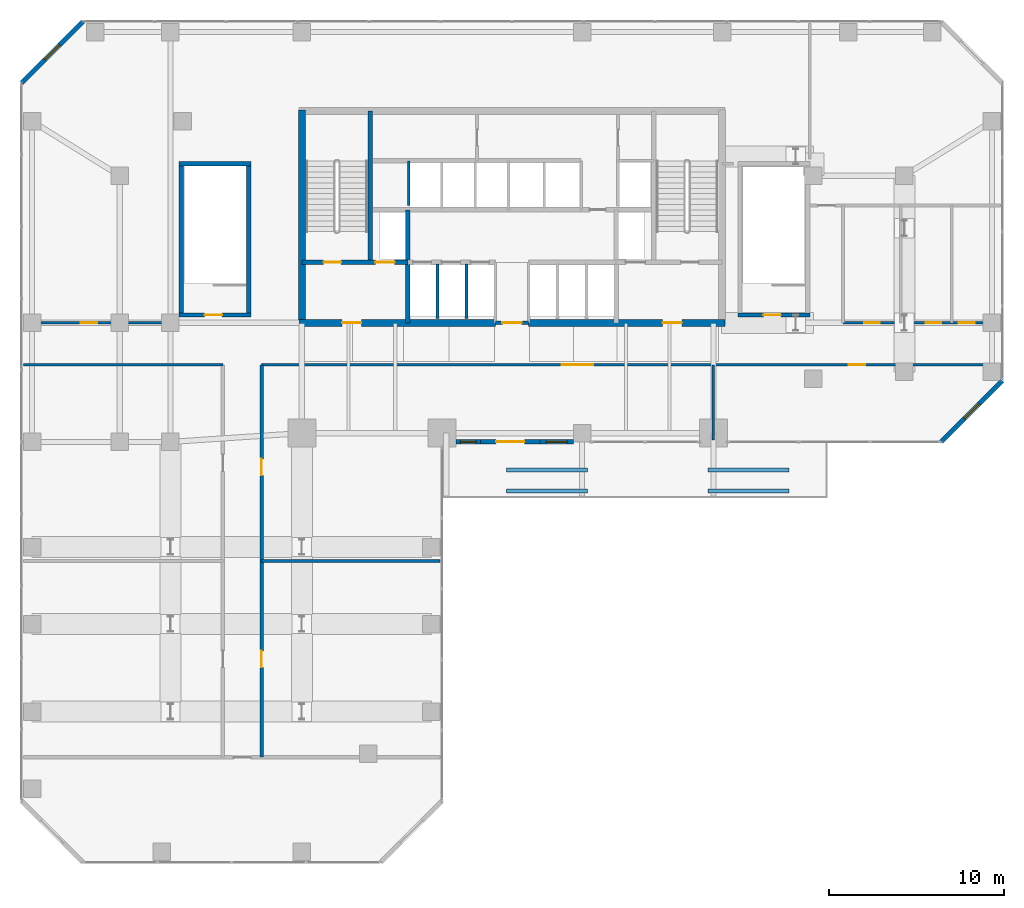
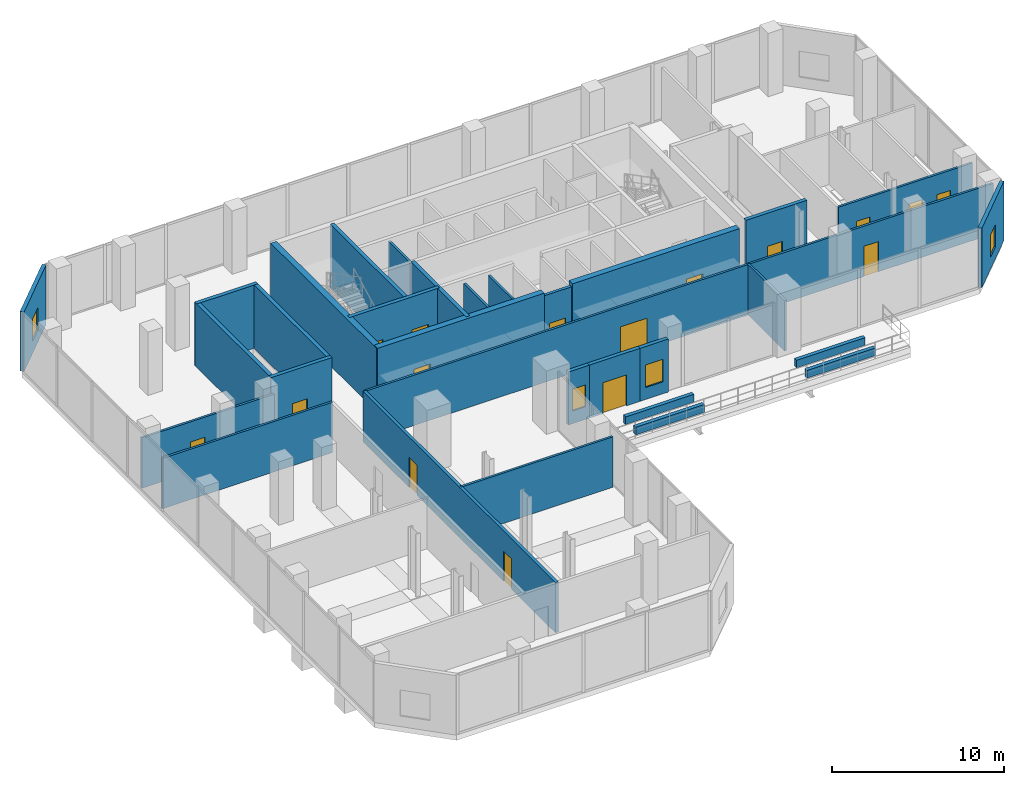
# One storey, part 22 of 24: 31 walls, 16 doors, 4 windows, 20 openings.
"""IFC4 building model written with IfcOpenShell, lengths in metres."""

from ifc_helpers import new_model, si_unit, direction, frame, frame_2d, origin, place, context, subcontext, project, spatial, rectangle, extrude, material, layer, layer_set, type_object, element, fill, save


model = new_model("IFC4")

# Units and contexts
model_context = context("Model", 3, precision=1e-05, world=origin(), true_north=direction((0.0, 1.0)))
body_context = subcontext(model_context, "Body", "Model", "MODEL_VIEW")
ifc_project = project(units=[si_unit("LENGTHUNIT", "METRE"), si_unit("AREAUNIT", "SQUARE_METRE"), si_unit("VOLUMEUNIT", "CUBIC_METRE"), si_unit("PLANEANGLEUNIT", "RADIAN"), si_unit("MASSUNIT", "GRAM", prefix="KILO")], contexts=[model_context])

# Site, building, storey
site_placement = place(None, origin())
site = spatial("IfcSite", under=ifc_project, at=site_placement, CompositionType="ELEMENT")
building_placement = place(site_placement, origin())
building = spatial("IfcBuilding", under=site, at=building_placement, Name="Catumbela Crestline Tower", CompositionType="ELEMENT")
storey_placement = place(building_placement, frame((0.0, 0.0, 21.3)))
storey = spatial("IfcBuildingStorey", under=building, at=storey_placement, Name="L04", CompositionType="ELEMENT", Elevation=21.3)

# Walls
ifc_material_1 = material(Name="Concrete C50/60", Category="concrete")
ifc_layer_1 = layer(ifc_material_1, 0.25, Name="Concrete C50/60")
ifc_layer_set_1 = layer_set([ifc_layer_1], Name="Concrete C50/60")
wall_type_1 = type_object("IfcWallType", Name="CW-250D", PredefinedType="SHEAR", material=ifc_layer_set_1)
wall_1_placement = place(storey_placement, frame((19.9, 34.25, 0.0), z_axis=(0.0, 0.0, 1.0), x_axis=(0.0, 1.0, 0.0)))
element("IfcWall", 1, at=wall_1_placement, inside=storey, type_object=wall_type_1, Name="L04 Structural Core Shear Wall WWEB", PredefinedType="SHEAR", context=body_context, shape_type="SweptSolid", body=[
    extrude(rectangle(XDim=8.65, YDim=0.25, at=frame_2d((4.325, 0.0))), origin(), (0.0, 0.0, 1.0), 4.5),
])
wall_2_placement = place(storey_placement, frame((22.05, 30.8, 0.0), z_axis=(0.0, 0.0, 1.0), x_axis=(0.0, 1.0, 0.0)))
element("IfcWall", 2, at=wall_2_placement, inside=storey, type_object=wall_type_1, Name="L04 Structural Core Shear Wall FFW", PredefinedType="SHEAR", context=body_context, shape_type="SweptSolid", body=[
    extrude(rectangle(XDim=6.45, YDim=0.25, at=frame_2d((3.225, 0.0))), origin(), (0.0, 0.0, 1.0), 4.5),
])

# Wall, openings, doors
wall_3_placement = place(storey_placement, frame((16.0, 34.25, 0.0), z_axis=(0.0, 0.0, 1.0), x_axis=(1.0, 0.0, 0.0)))
wall_3 = element("IfcWall", 3, at=wall_3_placement, inside=storey, type_object=wall_type_1, Name="L04 Structural Core Shear Wall ST1S", PredefinedType="SHEAR", context=body_context, shape_type="SweptSolid", body=[
    extrude(rectangle(XDim=6.05, YDim=0.25, at=frame_2d((3.025, 0.0))), origin(), (0.0, 0.0, 1.0), 4.5),
])
opening_1_placement = place(wall_3_placement, frame((1.25, 0.0, 0.0)))
opening_1 = element("IfcOpeningElement", 4, at=opening_1_placement, cuts=wall_3, Name="Opening DF9-100", PredefinedType="OPENING", context=body_context, shape_type="SweptSolid", body=[
    extrude(rectangle(XDim=1.0, YDim=2.15, at=frame_2d((0.5, 1.075))), frame((0.0, 0.135, 0.0), z_axis=(0.0, -1.0, 0.0), x_axis=(1.0, 0.0, 0.0)), (0.0, 0.0, 1.0), 0.27),
])
opening_2_placement = place(wall_3_placement, frame((4.2, 0.0, 0.0)))
opening_2 = element("IfcOpeningElement", 5, at=opening_2_placement, cuts=wall_3, Name="Opening LD-110", PredefinedType="OPENING", context=body_context, shape_type="SweptSolid", body=[
    extrude(rectangle(XDim=1.1, YDim=2.15, at=frame_2d((0.55, 1.075))), frame((0.0, 0.135, 0.0), z_axis=(0.0, -1.0, 0.0), x_axis=(1.0, 0.0, 0.0)), (0.0, 0.0, 1.0), 0.27),
])
ifc_material_2 = material(Name="Stainless steel EN 1.4401", Category="steel")
door_type_1 = type_object("IfcDoorType", Name="DF9-100", OperationType="NOTDEFINED", PredefinedType="DOOR", material=ifc_material_2)
door_1_placement = place(opening_1_placement, origin())
door_1 = element("IfcDoor", 6, at=door_1_placement, inside=storey, type_object=door_type_1, Name="L04 Interior Door DR-L04-ST01", OperationType="SINGLE_SWING_LEFT", OverallHeight=2.15, OverallWidth=1.0, PredefinedType="DOOR", context=body_context, shape_type="SweptSolid", body=[
    extrude(rectangle(XDim=1.0, YDim=2.15, at=frame_2d((0.5, 1.075))), frame((0.0, 0.025, 0.0), z_axis=(0.0, -1.0, 0.0), x_axis=(1.0, 0.0, 0.0)), (0.0, 0.0, 1.0), 0.05),
])
fill(opening_1, door_1)
door_type_2 = type_object("IfcDoorType", Name="LD-110", OperationType="NOTDEFINED", PredefinedType="DOOR", material=ifc_material_2)
door_2_placement = place(opening_2_placement, origin())
door_2 = element("IfcDoor", 7, at=door_2_placement, inside=storey, type_object=door_type_2, Name="L04 Lift Landing Sliding Door FL-01", OperationType="DOUBLE_DOOR_SLIDING", OverallHeight=2.15, OverallWidth=1.1, PredefinedType="DOOR", context=body_context, shape_type="SweptSolid", body=[
    extrude(rectangle(XDim=1.1, YDim=2.15, at=frame_2d((0.55, 1.075))), frame((0.0, 0.025, 0.0), z_axis=(0.0, -1.0, 0.0), x_axis=(1.0, 0.0, 0.0)), (0.0, 0.0, 1.0), 0.05),
])
fill(opening_2, door_2)

# Walls
for number, where, z_axis, x_axis, name in (
    (8, (9.12, 31.15, 0.0), (0.0, 0.0, 1.0), (0.0, 1.0, 0.0), "L04 Structural Core Shear Wall ST3W"),
    (9, (12.98, 31.15, 0.0), (0.0, 0.0, 1.0), (0.0, 1.0, 0.0), "L04 Structural Core Shear Wall ST3E"),
):
    element("IfcWall", number, at=place(storey_placement, frame(where, z_axis=z_axis, x_axis=x_axis)), inside=storey, type_object=wall_type_1, Name=name, PredefinedType="SHEAR", context=body_context, shape_type="SweptSolid", body=[
        extrude(rectangle(XDim=8.8, YDim=0.25, at=frame_2d((4.4, 0.0))), origin(), (0.0, 0.0, 1.0), 4.5),
    ])
wall_4_placement = place(storey_placement, frame((9.0, 39.88, 0.0), z_axis=(0.0, 0.0, 1.0), x_axis=(1.0, 0.0, 0.0)))
element("IfcWall", 10, at=wall_4_placement, inside=storey, type_object=wall_type_1, Name="L04 Structural Core Shear Wall ST3N", PredefinedType="SHEAR", context=body_context, shape_type="SweptSolid", body=[
    extrude(rectangle(XDim=4.1, YDim=0.25, at=frame_2d((2.05, 0.0))), origin(), (0.0, 0.0, 1.0), 4.5),
])

# Wall, opening, door
wall_5_placement = place(storey_placement, frame((9.0, 31.25, 0.0), z_axis=(0.0, 0.0, 1.0), x_axis=(1.0, 0.0, 0.0)))
wall_5 = element("IfcWall", 11, at=wall_5_placement, inside=storey, type_object=wall_type_1, Name="L04 Structural Core Shear Wall ST3S", PredefinedType="SHEAR", context=body_context, shape_type="SweptSolid", body=[
    extrude(rectangle(XDim=4.1, YDim=0.25, at=frame_2d((2.05, 0.0))), origin(), (0.0, 0.0, 1.0), 4.5),
])
opening_3_placement = place(wall_5_placement, frame((1.45, 0.0, 0.0)))
opening_3 = element("IfcOpeningElement", 12, at=opening_3_placement, cuts=wall_5, Name="Opening DF9-100", PredefinedType="OPENING", context=body_context, shape_type="SweptSolid", body=[
    extrude(rectangle(XDim=1.0, YDim=2.15, at=frame_2d((0.5, 1.075))), frame((0.0, 0.135, 0.0), z_axis=(0.0, -1.0, 0.0), x_axis=(1.0, 0.0, 0.0)), (0.0, 0.0, 1.0), 0.27),
])
door_3_placement = place(opening_3_placement, origin())
door_3 = element("IfcDoor", 13, at=door_3_placement, inside=storey, type_object=door_type_1, Name="L04 Interior Door DR-L04-ST03", OperationType="SINGLE_SWING_LEFT", OverallHeight=2.15, OverallWidth=1.0, PredefinedType="DOOR", context=body_context, shape_type="SweptSolid", body=[
    extrude(rectangle(XDim=1.0, YDim=2.15, at=frame_2d((0.5, 1.075))), frame((0.0, 0.025, 0.0), z_axis=(0.0, -1.0, 0.0), x_axis=(1.0, 0.0, 0.0)), (0.0, 0.0, 1.0), 0.05),
])
fill(opening_3, door_3)

wall_6_placement = place(storey_placement, frame((40.9, 31.25, 0.0), z_axis=(0.0, 0.0, 1.0), x_axis=(1.0, 0.0, 0.0)))
wall_6 = element("IfcWall", 14, at=wall_6_placement, inside=storey, type_object=wall_type_1, Name="L04 Structural Core Shear Wall ST4S", PredefinedType="SHEAR", context=body_context, shape_type="SweptSolid", body=[
    extrude(rectangle(XDim=4.1, YDim=0.25, at=frame_2d((2.05, 0.0))), origin(), (0.0, 0.0, 1.0), 4.5),
])
opening_4_placement = place(wall_6_placement, frame((1.45, 0.0, 0.0)))
opening_4 = element("IfcOpeningElement", 15, at=opening_4_placement, cuts=wall_6, Name="Opening DF9-100", PredefinedType="OPENING", context=body_context, shape_type="SweptSolid", body=[
    extrude(rectangle(XDim=1.0, YDim=2.15, at=frame_2d((0.5, 1.075))), frame((0.0, 0.135, 0.0), z_axis=(0.0, -1.0, 0.0), x_axis=(1.0, 0.0, 0.0)), (0.0, 0.0, 1.0), 0.27),
])
door_4_placement = place(opening_4_placement, origin())
door_4 = element("IfcDoor", 16, at=door_4_placement, inside=storey, type_object=door_type_1, Name="L04 Interior Door DR-L04-ST04", OperationType="SINGLE_SWING_RIGHT", OverallHeight=2.15, OverallWidth=1.0, PredefinedType="DOOR", context=body_context, shape_type="SweptSolid", body=[
    extrude(rectangle(XDim=1.0, YDim=2.15, at=frame_2d((0.5, 1.075))), frame((0.0, 0.025, 0.0), z_axis=(0.0, -1.0, 0.0), x_axis=(1.0, 0.0, 0.0)), (0.0, 0.0, 1.0), 0.05),
])
fill(opening_4, door_4)

# Wall
ifc_material_3 = material(Name="Concrete C60/75", Category="concrete")
ifc_layer_2 = layer(ifc_material_3, 0.4, Name="Concrete C60/75")
ifc_layer_set_2 = layer_set([ifc_layer_2], Name="Concrete C60/75")
wall_type_2 = type_object("IfcWallType", Name="CW-400A", PredefinedType="SHEAR", material=ifc_layer_set_2)
wall_7_placement = place(storey_placement, frame((16.0, 30.65, 0.0), z_axis=(0.0, 0.0, 1.0), x_axis=(0.0, 1.0, 0.0)))
element("IfcWall", 17, at=wall_7_placement, inside=storey, type_object=wall_type_2, Name="L04 Structural Core Shear Wall W", PredefinedType="SHEAR", context=body_context, shape_type="SweptSolid", body=[
    extrude(rectangle(XDim=12.3, YDim=0.4, at=frame_2d((6.15, 0.0))), origin(), (0.0, 0.0, 1.0), 4.5),
])

# Wall, opening, door
wall_8_placement = place(storey_placement, frame((15.85, 30.8, 0.0), z_axis=(0.0, 0.0, 1.0), x_axis=(1.0, 0.0, 0.0)))
wall_8 = element("IfcWall", 18, at=wall_8_placement, inside=storey, type_object=wall_type_2, Name="L04 Structural Core Shear Wall SW", PredefinedType="SHEAR", context=body_context, shape_type="SweptSolid", body=[
    extrude(rectangle(XDim=11.2, YDim=0.4, at=frame_2d((5.6, 0.0))), origin(), (0.0, 0.0, 1.0), 4.5),
])
opening_5_placement = place(wall_8_placement, frame((2.45, 0.0, 0.0)))
opening_5 = element("IfcOpeningElement", 19, at=opening_5_placement, cuts=wall_8, Name="Opening DF9-110", PredefinedType="OPENING", context=body_context, shape_type="SweptSolid", body=[
    extrude(rectangle(XDim=1.1, YDim=2.15, at=frame_2d((0.55, 1.075))), frame((0.0, 0.21, 0.0), z_axis=(0.0, -1.0, 0.0), x_axis=(1.0, 0.0, 0.0)), (0.0, 0.0, 1.0), 0.42),
])
door_type_3 = type_object("IfcDoorType", Name="DF9-110", OperationType="NOTDEFINED", PredefinedType="DOOR", material=ifc_material_2)
door_5_placement = place(opening_5_placement, origin())
door_5 = element("IfcDoor", 20, at=door_5_placement, inside=storey, type_object=door_type_3, Name="L04 Interior Door DR-L04-FFW-S", OperationType="SINGLE_SWING_LEFT", OverallHeight=2.15, OverallWidth=1.1, PredefinedType="DOOR", context=body_context, shape_type="SweptSolid", body=[
    extrude(rectangle(XDim=1.1, YDim=2.15, at=frame_2d((0.55, 1.075))), frame((0.0, 0.025, 0.0), z_axis=(0.0, -1.0, 0.0), x_axis=(1.0, 0.0, 0.0)), (0.0, 0.0, 1.0), 0.05),
])
fill(opening_5, door_5)

wall_9_placement = place(storey_placement, frame((28.95, 30.8, 0.0), z_axis=(0.0, 0.0, 1.0), x_axis=(1.0, 0.0, 0.0)))
wall_9 = element("IfcWall", 21, at=wall_9_placement, inside=storey, type_object=wall_type_2, Name="L04 Structural Core Shear Wall SE", PredefinedType="SHEAR", context=body_context, shape_type="SweptSolid", body=[
    extrude(rectangle(XDim=11.2, YDim=0.4, at=frame_2d((5.6, 0.0))), origin(), (0.0, 0.0, 1.0), 4.5),
])
opening_6_placement = place(wall_9_placement, frame((7.65, 0.0, 0.0)))
opening_6 = element("IfcOpeningElement", 22, at=opening_6_placement, cuts=wall_9, Name="Opening DF9-110", PredefinedType="OPENING", context=body_context, shape_type="SweptSolid", body=[
    extrude(rectangle(XDim=1.1, YDim=2.15, at=frame_2d((0.55, 1.075))), frame((0.0, 0.21, 0.0), z_axis=(0.0, -1.0, 0.0), x_axis=(1.0, 0.0, 0.0)), (0.0, 0.0, 1.0), 0.42),
])
door_6_placement = place(opening_6_placement, origin())
door_6 = element("IfcDoor", 23, at=door_6_placement, inside=storey, type_object=door_type_3, Name="L04 Interior Door DR-L04-FFE-S", OperationType="SINGLE_SWING_RIGHT", OverallHeight=2.15, OverallWidth=1.1, PredefinedType="DOOR", context=body_context, shape_type="SweptSolid", body=[
    extrude(rectangle(XDim=1.1, YDim=2.15, at=frame_2d((0.55, 1.075))), frame((0.0, 0.025, 0.0), z_axis=(0.0, -1.0, 0.0), x_axis=(1.0, 0.0, 0.0)), (0.0, 0.0, 1.0), 0.05),
])
fill(opening_6, door_6)

ifc_material_4 = material(Name="Acoustic gypsum and mineral-wool partition")
ifc_layer_3 = layer(ifc_material_4, 0.2, Name="Acoustic gypsum and mineral-wool partition")
ifc_layer_set_3 = layer_set([ifc_layer_3], Name="Acoustic gypsum and mineral-wool partition")
wall_type_3 = type_object("IfcWallType", Name="WC-200", PredefinedType="PARTITIONING", material=ifc_layer_set_3)
wall_10_placement = place(storey_placement, frame((27.05, 30.8, 0.0), z_axis=(0.0, 0.0, 1.0), x_axis=(1.0, 0.0, 0.0)))
wall_10 = element("IfcWall", 24, at=wall_10_placement, inside=storey, type_object=wall_type_3, Name="L04 Interior Partition PW-L04-CLOBS", PredefinedType="PARTITIONING", context=body_context, shape_type="SweptSolid", body=[
    extrude(rectangle(XDim=1.9, YDim=0.2, at=frame_2d((0.95, 0.0))), origin(), (0.0, 0.0, 1.0), 4.23),
])
opening_7_placement = place(wall_10_placement, frame((0.4, 0.0, 0.0)))
opening_7 = element("IfcOpeningElement", 25, at=opening_7_placement, cuts=wall_10, Name="Opening DF9-110", PredefinedType="OPENING", context=body_context, shape_type="SweptSolid", body=[
    extrude(rectangle(XDim=1.1, YDim=2.15, at=frame_2d((0.55, 1.075))), frame((0.0, 0.11, 0.0), z_axis=(0.0, -1.0, 0.0), x_axis=(1.0, 0.0, 0.0)), (0.0, 0.0, 1.0), 0.22),
])
door_7_placement = place(opening_7_placement, origin())
door_7 = element("IfcDoor", 26, at=door_7_placement, inside=storey, type_object=door_type_3, Name="L04 Interior Door DR-L04-CLOBS", OperationType="SINGLE_SWING_LEFT", OverallHeight=2.15, OverallWidth=1.1, PredefinedType="DOOR", context=body_context, shape_type="SweptSolid", body=[
    extrude(rectangle(XDim=1.1, YDim=2.15, at=frame_2d((0.55, 1.075))), frame((0.0, 0.025, 0.0), z_axis=(0.0, -1.0, 0.0), x_axis=(1.0, 0.0, 0.0)), (0.0, 0.0, 1.0), 0.05),
])
fill(opening_7, door_7)

# Wall, openings, doors
wall_11_placement = place(storey_placement, frame((13.7, 6.0, 0.0), z_axis=(0.0, 0.0, 1.0), x_axis=(0.0, 1.0, 0.0)))
wall_11 = element("IfcWall", 27, at=wall_11_placement, inside=storey, type_object=wall_type_3, Name="L04 Interior Partition PW-L04-TRT3-ENT", PredefinedType="PARTITIONING", context=body_context, shape_type="SweptSolid", body=[
    extrude(rectangle(XDim=22.4, YDim=0.2, at=frame_2d((11.2, 0.0))), origin(), (0.0, 0.0, 1.0), 3.58),
])
opening_8_placement = place(wall_11_placement, frame((16.084, 0.0, 0.0)))
opening_8 = element("IfcOpeningElement", 28, at=opening_8_placement, cuts=wall_11, Name="Opening DF6-095", PredefinedType="OPENING", context=body_context, shape_type="SweptSolid", body=[
    extrude(rectangle(XDim=0.95, YDim=2.15, at=frame_2d((0.475, 1.075))), frame((0.0, 0.11, 0.0), z_axis=(0.0, -1.0, 0.0), x_axis=(1.0, 0.0, 0.0)), (0.0, 0.0, 1.0), 0.22),
])
opening_9_placement = place(wall_11_placement, frame((5.125, 0.0, 0.0)))
opening_9 = element("IfcOpeningElement", 29, at=opening_9_placement, cuts=wall_11, Name="Opening DF6-095", PredefinedType="OPENING", context=body_context, shape_type="SweptSolid", body=[
    extrude(rectangle(XDim=0.95, YDim=2.15, at=frame_2d((0.475, 1.075))), frame((0.0, 0.11, 0.0), z_axis=(0.0, -1.0, 0.0), x_axis=(1.0, 0.0, 0.0)), (0.0, 0.0, 1.0), 0.22),
])
ifc_material_5 = material(Name="Aluminium alloy AW-6060-T66", Category="aluminium")
door_type_4 = type_object("IfcDoorType", Name="DF6-095", OperationType="NOTDEFINED", PredefinedType="DOOR", material=ifc_material_5)
door_8_placement = place(opening_8_placement, origin())
door_8 = element("IfcDoor", 30, at=door_8_placement, inside=storey, type_object=door_type_4, Name="L04 Interior Door DR-L04-TRT3-ENT", OperationType="SINGLE_SWING_RIGHT", OverallHeight=2.15, OverallWidth=0.95, PredefinedType="DOOR", context=body_context, shape_type="SweptSolid", body=[
    extrude(rectangle(XDim=0.95, YDim=2.15, at=frame_2d((0.475, 1.075))), frame((0.0, 0.025, 0.0), z_axis=(0.0, -1.0, 0.0), x_axis=(1.0, 0.0, 0.0)), (0.0, 0.0, 1.0), 0.05),
])
fill(opening_8, door_8)
door_9_placement = place(opening_9_placement, origin())
door_9 = element("IfcDoor", 31, at=door_9_placement, inside=storey, type_object=door_type_4, Name="L04 Interior Door DR-L04-TRT4-ENT", OperationType="SINGLE_SWING_LEFT", OverallHeight=2.15, OverallWidth=0.95, PredefinedType="DOOR", context=body_context, shape_type="SweptSolid", body=[
    extrude(rectangle(XDim=0.95, YDim=2.15, at=frame_2d((0.475, 1.075))), frame((0.0, 0.025, 0.0), z_axis=(0.0, -1.0, 0.0), x_axis=(1.0, 0.0, 0.0)), (0.0, 0.0, 1.0), 0.05),
])
fill(opening_9, door_9)

# Wall, opening, door
ifc_material_6 = material(Name="Angolan grey-ochre granite", Category="masonry")
ifc_layer_4 = layer(ifc_material_6, 0.25, Name="Angolan grey-ochre granite")
ifc_layer_set_4 = layer_set([ifc_layer_4], Name="Angolan grey-ochre granite")
wall_type_4 = type_object("IfcWallType", Name="WE-250", PredefinedType="STANDARD", material=ifc_layer_set_4)
wall_12_placement = place(storey_placement, frame((26.2, 24.0, 0.0), z_axis=(0.0, 0.0, 1.0), x_axis=(1.0, 0.0, 0.0)))
wall_12 = element("IfcWall", 32, at=wall_12_placement, inside=storey, type_object=wall_type_4, Name="L04 Exterior Threshold Portal Wall DR-L04-TER-SE", PredefinedType="STANDARD", context=body_context, shape_type="SweptSolid", body=[
    extrude(rectangle(XDim=3.4, YDim=0.25, at=frame_2d((1.7, 0.0))), origin(), (0.0, 0.0, 1.0), 3.77),
])
opening_10_placement = place(wall_12_placement, frame((0.9, 0.0, 0.0)))
opening_10 = element("IfcOpeningElement", 33, at=opening_10_placement, cuts=wall_12, Name="Opening DT-01", PredefinedType="OPENING", context=body_context, shape_type="SweptSolid", body=[
    extrude(rectangle(XDim=1.6, YDim=2.2, at=frame_2d((0.8, 1.1))), frame((0.0, 0.135, 0.0), z_axis=(0.0, -1.0, 0.0), x_axis=(1.0, 0.0, 0.0)), (0.0, 0.0, 1.0), 0.27),
])
door_type_5 = type_object("IfcDoorType", Name="DT-1600", OperationType="NOTDEFINED", PredefinedType="DOOR", material=ifc_material_5)
door_10_placement = place(opening_10_placement, origin())
door_10 = element("IfcDoor", 34, at=door_10_placement, inside=storey, type_object=door_type_5, Name="L04 Spa Sky-Garden Terrace Door", OperationType="DOUBLE_DOOR_SINGLE_SWING", OverallHeight=2.2, OverallWidth=1.6, PredefinedType="DOOR", context=body_context, shape_type="SweptSolid", body=[
    extrude(rectangle(XDim=1.6, YDim=2.2, at=frame_2d((0.8, 1.1))), frame((0.0, 0.025, 0.0), z_axis=(0.0, -1.0, 0.0), x_axis=(1.0, 0.0, 0.0)), (0.0, 0.0, 1.0), 0.05),
])
fill(opening_10, door_10)

# Wall, opening, window
wall_13_placement = place(storey_placement, frame((24.8, 24.0, 0.0), z_axis=(0.0, 0.0, 1.0), x_axis=(1.0, 0.0, 0.0)))
wall_13 = element("IfcWall", 35, at=wall_13_placement, inside=storey, type_object=wall_type_4, Name="L04 Granite Punched Window Wall 3-1", PredefinedType="STANDARD", context=body_context, shape_type="SweptSolid", body=[
    extrude(rectangle(XDim=1.4, YDim=0.25, at=frame_2d((0.7, 0.0))), origin(), (0.0, 0.0, 1.0), 3.77),
])
opening_11_placement = place(wall_13_placement, frame((0.25, 0.0, 0.9)))
opening_11 = element("IfcOpeningElement", 36, at=opening_11_placement, cuts=wall_13, Name="Opening WN-03", PredefinedType="OPENING", context=body_context, shape_type="SweptSolid", body=[
    extrude(rectangle(XDim=0.9, YDim=1.55, at=frame_2d((0.45, 0.775))), frame((0.0, 0.135, 0.0), z_axis=(0.0, -1.0, 0.0), x_axis=(1.0, 0.0, 0.0)), (0.0, 0.0, 1.0), 0.27),
])
ifc_material_7 = material(Name="Low-E laminated solar-control double glazing", Category="glass")
window_type_1 = type_object("IfcWindowType", Name="WO-0900", PartitioningType="SINGLE_PANEL", PredefinedType="WINDOW", material=ifc_material_7)
window_1_placement = place(opening_11_placement, origin())
window_1 = element("IfcWindow", 37, at=window_1_placement, inside=storey, type_object=window_type_1, Name="L04 Facade Vision Window 42", OverallHeight=1.55, OverallWidth=0.9, PartitioningType="SINGLE_PANEL", PredefinedType="WINDOW", context=body_context, shape_type="SweptSolid", body=[
    extrude(rectangle(XDim=0.9, YDim=1.55, at=frame_2d((0.45, 0.775))), frame((0.0, 0.03, 0.0), z_axis=(0.0, -1.0, 0.0), x_axis=(1.0, 0.0, 0.0)), (0.0, 0.0, 1.0), 0.06),
])
fill(opening_11, window_1)

wall_14_placement = place(storey_placement, frame((29.6, 24.0, 0.0), z_axis=(0.0, 0.0, 1.0), x_axis=(1.0, 0.0, 0.0)))
wall_14 = element("IfcWall", 38, at=wall_14_placement, inside=storey, type_object=wall_type_4, Name="L04 Granite Punched Window Wall 3-2", PredefinedType="STANDARD", context=body_context, shape_type="SweptSolid", body=[
    extrude(rectangle(XDim=1.9, YDim=0.25, at=frame_2d((0.95, 0.0))), origin(), (0.0, 0.0, 1.0), 3.77),
])
opening_12_placement = place(wall_14_placement, frame((0.35, 0.0, 0.85)))
opening_12 = element("IfcOpeningElement", 39, at=opening_12_placement, cuts=wall_14, Name="Opening WN-02", PredefinedType="OPENING", context=body_context, shape_type="SweptSolid", body=[
    extrude(rectangle(XDim=1.2, YDim=1.6, at=frame_2d((0.6, 0.8))), frame((0.0, 0.135, 0.0), z_axis=(0.0, -1.0, 0.0), x_axis=(1.0, 0.0, 0.0)), (0.0, 0.0, 1.0), 0.27),
])
window_type_2 = type_object("IfcWindowType", Name="WO-1200", PartitioningType="SINGLE_PANEL", PredefinedType="WINDOW", material=ifc_material_7)
window_2_placement = place(opening_12_placement, origin())
window_2 = element("IfcWindow", 40, at=window_2_placement, inside=storey, type_object=window_type_2, Name="L04 Facade Vision Window 43", OverallHeight=1.6, OverallWidth=1.2, PartitioningType="SINGLE_PANEL", PredefinedType="WINDOW", context=body_context, shape_type="SweptSolid", body=[
    extrude(rectangle(XDim=1.2, YDim=1.6, at=frame_2d((0.6, 0.8))), frame((0.0, 0.03, 0.0), z_axis=(0.0, -1.0, 0.0), x_axis=(1.0, 0.0, 0.0)), (0.0, 0.0, 1.0), 0.06),
])
fill(opening_12, window_2)

wall_15_placement = place(storey_placement, frame((52.5, 24.0, 0.0), z_axis=(0.0, 0.0, 1.0), x_axis=(0.707106781187, 0.707106781187, 0.0)))
wall_15 = element("IfcWall", 41, at=wall_15_placement, inside=storey, type_object=wall_type_4, Name="L04 Granite Punched Window Wall 4-1", PredefinedType="STANDARD", context=body_context, shape_type="SweptSolid", body=[
    extrude(rectangle(XDim=4.9497, YDim=0.25, at=frame_2d((2.4748, 0.0))), origin(), (0.0, 0.0, 1.0), 4.23),
])
opening_13_placement = place(wall_15_placement, frame((1.8748, 0.0, 0.85)))
opening_13 = element("IfcOpeningElement", 42, at=opening_13_placement, cuts=wall_15, Name="Opening WN-02", PredefinedType="OPENING", context=body_context, shape_type="SweptSolid", body=[
    extrude(rectangle(XDim=1.2, YDim=1.6, at=frame_2d((0.6, 0.8))), frame((0.0, 0.135, 0.0), z_axis=(0.0, -1.0, 0.0), x_axis=(1.0, 0.0, 0.0)), (0.0, 0.0, 1.0), 0.27),
])
window_3_placement = place(opening_13_placement, origin())
window_3 = element("IfcWindow", 43, at=window_3_placement, inside=storey, type_object=window_type_2, Name="L04 Facade Vision Window 44", OverallHeight=1.6, OverallWidth=1.2, PartitioningType="SINGLE_PANEL", PredefinedType="WINDOW", context=body_context, shape_type="SweptSolid", body=[
    extrude(rectangle(XDim=1.2, YDim=1.6, at=frame_2d((0.6, 0.8))), frame((0.0, 0.03, 0.0), z_axis=(0.0, -1.0, 0.0), x_axis=(1.0, 0.0, 0.0)), (0.0, 0.0, 1.0), 0.06),
])
fill(opening_13, window_3)

wall_16_placement = place(storey_placement, frame((3.5, 48.0, 0.0), z_axis=(0.0, 0.0, 1.0), x_axis=(-0.707106781187, -0.707106781187, 0.0)))
wall_16 = element("IfcWall", 44, at=wall_16_placement, inside=storey, type_object=wall_type_4, Name="L04 Granite Punched Window Wall 8-1", PredefinedType="STANDARD", context=body_context, shape_type="SweptSolid", body=[
    extrude(rectangle(XDim=4.9497, YDim=0.25, at=frame_2d((2.4748, 0.0))), origin(), (0.0, 0.0, 1.0), 4.23),
])
opening_14_placement = place(wall_16_placement, frame((1.8748, 0.0, 0.85)))
opening_14 = element("IfcOpeningElement", 45, at=opening_14_placement, cuts=wall_16, Name="Opening WN-02", PredefinedType="OPENING", context=body_context, shape_type="SweptSolid", body=[
    extrude(rectangle(XDim=1.2, YDim=1.6, at=frame_2d((0.6, 0.8))), frame((0.0, 0.135, 0.0), z_axis=(0.0, -1.0, 0.0), x_axis=(1.0, 0.0, 0.0)), (0.0, 0.0, 1.0), 0.27),
])
window_4_placement = place(opening_14_placement, origin())
window_4 = element("IfcWindow", 46, at=window_4_placement, inside=storey, type_object=window_type_2, Name="L04 Facade Vision Window 46", OverallHeight=1.6, OverallWidth=1.2, PartitioningType="SINGLE_PANEL", PredefinedType="WINDOW", context=body_context, shape_type="SweptSolid", body=[
    extrude(rectangle(XDim=1.2, YDim=1.6, at=frame_2d((0.6, 0.8))), frame((0.0, 0.03, 0.0), z_axis=(0.0, -1.0, 0.0), x_axis=(1.0, 0.0, 0.0)), (0.0, 0.0, 1.0), 0.06),
])
fill(opening_14, window_4)

# Wall, openings, doors
ifc_layer_5 = layer(ifc_material_4, 0.15, Name="Acoustic gypsum and mineral-wool partition")
ifc_layer_set_5 = layer_set([ifc_layer_5], Name="Acoustic gypsum and mineral-wool partition")
wall_type_5 = type_object("IfcWallType", Name="WP-150", PredefinedType="PARTITIONING", material=ifc_layer_set_5)
wall_17_placement = place(storey_placement, frame((46.9, 30.8, 0.0), z_axis=(0.0, 0.0, 1.0), x_axis=(1.0, 0.0, 0.0)))
wall_17 = element("IfcWall", 47, at=wall_17_placement, inside=storey, type_object=wall_type_5, Name="L04 Interior Partition PW-L04-WC1", PredefinedType="PARTITIONING", context=body_context, shape_type="SweptSolid", body=[
    extrude(rectangle(XDim=9.0, YDim=0.15, at=frame_2d((4.5, 0.0))), origin(), (0.0, 0.0, 1.0), 3.58),
])
opening_15_placement = place(wall_17_placement, frame((1.2, 0.0, 0.0)))
opening_15 = element("IfcOpeningElement", 48, at=opening_15_placement, cuts=wall_17, Name="Opening DI-090", PredefinedType="OPENING", context=body_context, shape_type="SweptSolid", body=[
    extrude(rectangle(XDim=0.9, YDim=2.15, at=frame_2d((0.45, 1.075))), frame((0.0, 0.085, 0.0), z_axis=(0.0, -1.0, 0.0), x_axis=(1.0, 0.0, 0.0)), (0.0, 0.0, 1.0), 0.17),
])
opening_16_placement = place(wall_17_placement, frame((4.72, 0.0, 0.0)))
opening_16 = element("IfcOpeningElement", 49, at=opening_16_placement, cuts=wall_17, Name="Opening DI-090", PredefinedType="OPENING", context=body_context, shape_type="SweptSolid", body=[
    extrude(rectangle(XDim=0.9, YDim=2.15, at=frame_2d((0.45, 1.075))), frame((0.0, 0.085, 0.0), z_axis=(0.0, -1.0, 0.0), x_axis=(1.0, 0.0, 0.0)), (0.0, 0.0, 1.0), 0.17),
])
opening_17_placement = place(wall_17_placement, frame((6.61, 0.0, 0.0)))
opening_17 = element("IfcOpeningElement", 50, at=opening_17_placement, cuts=wall_17, Name="Opening DI-090", PredefinedType="OPENING", context=body_context, shape_type="SweptSolid", body=[
    extrude(rectangle(XDim=0.9, YDim=2.15, at=frame_2d((0.45, 1.075))), frame((0.0, 0.085, 0.0), z_axis=(0.0, -1.0, 0.0), x_axis=(1.0, 0.0, 0.0)), (0.0, 0.0, 1.0), 0.17),
])
door_type_6 = type_object("IfcDoorType", Name="DI-090", OperationType="NOTDEFINED", PredefinedType="DOOR", material=ifc_material_5)
door_11_placement = place(opening_15_placement, origin())
door_11 = element("IfcDoor", 51, at=door_11_placement, inside=storey, type_object=door_type_6, Name="L04 Interior Door DR-L04-WC1", OperationType="SINGLE_SWING_LEFT", OverallHeight=2.15, OverallWidth=0.9, PredefinedType="DOOR", context=body_context, shape_type="SweptSolid", body=[
    extrude(rectangle(XDim=0.9, YDim=2.15, at=frame_2d((0.45, 1.075))), frame((0.0, 0.025, 0.0), z_axis=(0.0, -1.0, 0.0), x_axis=(1.0, 0.0, 0.0)), (0.0, 0.0, 1.0), 0.05),
])
fill(opening_15, door_11)
door_12_placement = place(opening_16_placement, origin())
door_12 = element("IfcDoor", 52, at=door_12_placement, inside=storey, type_object=door_type_6, Name="L04 Interior Door DR-L04-AWC", OperationType="SINGLE_SWING_RIGHT", OverallHeight=2.15, OverallWidth=0.9, PredefinedType="DOOR", context=body_context, shape_type="SweptSolid", body=[
    extrude(rectangle(XDim=0.9, YDim=2.15, at=frame_2d((0.45, 1.075))), frame((0.0, 0.025, 0.0), z_axis=(0.0, -1.0, 0.0), x_axis=(1.0, 0.0, 0.0)), (0.0, 0.0, 1.0), 0.05),
])
fill(opening_16, door_12)
door_13_placement = place(opening_17_placement, origin())
door_13 = element("IfcDoor", 53, at=door_13_placement, inside=storey, type_object=door_type_6, Name="L04 Interior Door DR-L04-FAM", OperationType="SINGLE_SWING_LEFT", OverallHeight=2.15, OverallWidth=0.9, PredefinedType="DOOR", context=body_context, shape_type="SweptSolid", body=[
    extrude(rectangle(XDim=0.9, YDim=2.15, at=frame_2d((0.45, 1.075))), frame((0.0, 0.025, 0.0), z_axis=(0.0, -1.0, 0.0), x_axis=(1.0, 0.0, 0.0)), (0.0, 0.0, 1.0), 0.05),
])
fill(opening_17, door_13)

# Wall, opening, door
wall_18_placement = place(storey_placement, frame((0.1, 30.8, 0.0), z_axis=(0.0, 0.0, 1.0), x_axis=(1.0, 0.0, 0.0)))
wall_18 = element("IfcWall", 54, at=wall_18_placement, inside=storey, type_object=wall_type_5, Name="L04 Interior Partition PW-L04-NW1", PredefinedType="PARTITIONING", context=body_context, shape_type="SweptSolid", body=[
    extrude(rectangle(XDim=8.9, YDim=0.15, at=frame_2d((4.45, 0.0))), origin(), (0.0, 0.0, 1.0), 3.58),
])
opening_18_placement = place(wall_18_placement, frame((3.2684, 0.0, 0.0)))
opening_18 = element("IfcOpeningElement", 55, at=opening_18_placement, cuts=wall_18, Name="Opening DF6-095", PredefinedType="OPENING", context=body_context, shape_type="SweptSolid", body=[
    extrude(rectangle(XDim=0.95, YDim=2.15, at=frame_2d((0.475, 1.075))), frame((0.0, 0.085, 0.0), z_axis=(0.0, -1.0, 0.0), x_axis=(1.0, 0.0, 0.0)), (0.0, 0.0, 1.0), 0.17),
])
door_14_placement = place(opening_18_placement, origin())
door_14 = element("IfcDoor", 56, at=door_14_placement, inside=storey, type_object=door_type_4, Name="L04 Interior Door DR-L04-NW1", OperationType="SINGLE_SWING_LEFT", OverallHeight=2.15, OverallWidth=0.95, PredefinedType="DOOR", context=body_context, shape_type="SweptSolid", body=[
    extrude(rectangle(XDim=0.95, YDim=2.15, at=frame_2d((0.475, 1.075))), frame((0.0, 0.025, 0.0), z_axis=(0.0, -1.0, 0.0), x_axis=(1.0, 0.0, 0.0)), (0.0, 0.0, 1.0), 0.05),
])
fill(opening_18, door_14)

# Wall, openings, doors
wall_19_placement = place(storey_placement, frame((13.7, 28.4, 0.0), z_axis=(0.0, 0.0, 1.0), x_axis=(1.0, 0.0, 0.0)))
wall_19 = element("IfcWall", 57, at=wall_19_placement, inside=storey, type_object=wall_type_5, Name="L04 Interior Partition PW-L04-SPA", PredefinedType="PARTITIONING", context=body_context, shape_type="SweptSolid", body=[
    extrude(rectangle(XDim=42.2, YDim=0.15, at=frame_2d((21.1, 0.0))), origin(), (0.0, 0.0, 1.0), 3.58),
])
opening_19_placement = place(wall_19_placement, frame((17.15, 0.0, 0.0)))
opening_19 = element("IfcOpeningElement", 58, at=opening_19_placement, cuts=wall_19, Name="Opening DD-180", PredefinedType="OPENING", context=body_context, shape_type="SweptSolid", body=[
    extrude(rectangle(XDim=1.8, YDim=2.15, at=frame_2d((0.9, 1.075))), frame((0.0, 0.085, 0.0), z_axis=(0.0, -1.0, 0.0), x_axis=(1.0, 0.0, 0.0)), (0.0, 0.0, 1.0), 0.17),
])
opening_20_placement = place(wall_19_placement, frame((33.525, 0.0, 0.0)))
opening_20 = element("IfcOpeningElement", 59, at=opening_20_placement, cuts=wall_19, Name="Opening DF6-095", PredefinedType="OPENING", context=body_context, shape_type="SweptSolid", body=[
    extrude(rectangle(XDim=0.95, YDim=2.15, at=frame_2d((0.475, 1.075))), frame((0.0, 0.085, 0.0), z_axis=(0.0, -1.0, 0.0), x_axis=(1.0, 0.0, 0.0)), (0.0, 0.0, 1.0), 0.17),
])
door_type_7 = type_object("IfcDoorType", Name="DD-180", OperationType="NOTDEFINED", PredefinedType="DOOR", material=ifc_material_5)
door_15_placement = place(opening_19_placement, origin())
door_15 = element("IfcDoor", 60, at=door_15_placement, inside=storey, type_object=door_type_7, Name="L04 Interior Door DR-L04-SPA", OperationType="DOUBLE_DOOR_SINGLE_SWING", OverallHeight=2.15, OverallWidth=1.8, PredefinedType="DOOR", context=body_context, shape_type="SweptSolid", body=[
    extrude(rectangle(XDim=1.8, YDim=2.15, at=frame_2d((0.9, 1.075))), frame((0.0, 0.025, 0.0), z_axis=(0.0, -1.0, 0.0), x_axis=(1.0, 0.0, 0.0)), (0.0, 0.0, 1.0), 0.05),
])
fill(opening_19, door_15)
door_16_placement = place(opening_20_placement, origin())
door_16 = element("IfcDoor", 61, at=door_16_placement, inside=storey, type_object=door_type_4, Name="L04 Interior Door DR-L04-JBAR", OperationType="SINGLE_SWING_LEFT", OverallHeight=2.15, OverallWidth=0.95, PredefinedType="DOOR", context=body_context, shape_type="SweptSolid", body=[
    extrude(rectangle(XDim=0.95, YDim=2.15, at=frame_2d((0.475, 1.075))), frame((0.0, 0.025, 0.0), z_axis=(0.0, -1.0, 0.0), x_axis=(1.0, 0.0, 0.0)), (0.0, 0.0, 1.0), 0.05),
])
fill(opening_20, door_16)

# Walls
wall_20_placement = place(storey_placement, frame((39.5, 24.1, 0.0), z_axis=(0.0, 0.0, 1.0), x_axis=(0.0, 1.0, 0.0)))
element("IfcWall", 62, at=wall_20_placement, inside=storey, type_object=wall_type_5, Name="L04 Interior Partition PW-L04-SPAE", PredefinedType="PARTITIONING", context=body_context, shape_type="SweptSolid", body=[
    extrude(rectangle(XDim=4.3, YDim=0.15, at=frame_2d((2.15, 0.0))), origin(), (0.0, 0.0, 1.0), 3.58),
])
wall_21_placement = place(storey_placement, frame((0.1, 28.4, 0.0), z_axis=(0.0, 0.0, 1.0), x_axis=(1.0, 0.0, 0.0)))
element("IfcWall", 63, at=wall_21_placement, inside=storey, type_object=wall_type_5, Name="L04 Interior Partition PW-L04-WGN1", PredefinedType="PARTITIONING", context=body_context, shape_type="SweptSolid", body=[
    extrude(rectangle(XDim=11.4, YDim=0.15, at=frame_2d((5.7, 0.0))), origin(), (0.0, 0.0, 1.0), 3.58),
])
wall_22_placement = place(storey_placement, frame((13.7, 17.2, 0.0), z_axis=(0.0, 0.0, 1.0), x_axis=(1.0, 0.0, 0.0)))
element("IfcWall", 64, at=wall_22_placement, inside=storey, type_object=wall_type_5, Name="L04 Interior Partition PW-L04-TRM2", PredefinedType="PARTITIONING", context=body_context, shape_type="SweptSolid", body=[
    extrude(rectangle(XDim=10.2, YDim=0.15, at=frame_2d((5.1, 0.0))), origin(), (0.0, 0.0, 1.0), 3.58),
])
ifc_material_8 = material(Name="Concrete C40/50", Category="concrete")
ifc_layer_6 = layer(ifc_material_8, 0.25, Name="Concrete C40/50")
ifc_layer_set_6 = layer_set([ifc_layer_6], Name="Concrete C40/50")
wall_type_6 = type_object("IfcWallType", Name="WPL-250", PredefinedType="USERDEFINED", material=ifc_layer_set_6)
for number, where, z_axis, x_axis, name in (
    (65, (27.7, 21.2, -0.02), (0.0, 0.0, 1.0), (1.0, 0.0, 0.0), "L04 Planted Sky-Garden GRC Planter Kerb 1"),
    (66, (27.7, 22.4, -0.02), (0.0, 0.0, 1.0), (1.0, 0.0, 0.0), "L04 Planted Sky-Garden GRC Planter Kerb 2"),
    (67, (39.2, 21.2, -0.02), (0.0, 0.0, 1.0), (1.0, 0.0, 0.0), "L04 Planted Sky-Garden GRC Planter Kerb 3"),
    (68, (39.2, 22.4, -0.02), (0.0, 0.0, 1.0), (1.0, 0.0, 0.0), "L04 Planted Sky-Garden GRC Planter Kerb 4"),
):
    element("IfcWall", number, at=place(storey_placement, frame(where, z_axis=z_axis, x_axis=x_axis)), inside=storey, type_object=wall_type_6, Name=name, ObjectType="PLANTER", PredefinedType="USERDEFINED", context=body_context, shape_type="SweptSolid", body=[
        extrude(rectangle(XDim=4.6, YDim=0.25, at=frame_2d((2.3, 0.0))), origin(), (0.0, 0.0, 1.0), 0.55),
    ])
ifc_layer_7 = layer(ifc_material_4, 0.15, Name="Acoustic gypsum and mineral-wool partition")
ifc_layer_set_7 = layer_set([ifc_layer_7], Name="Acoustic gypsum and mineral-wool partition")
wall_type_7 = type_object("IfcWallType", Name="WS-150", PredefinedType="PLUMBINGWALL", material=ifc_layer_set_7)
for number, where, z_axis, x_axis, name in (
    (69, (23.75, 31.05, 0.0), (0.0, 0.0, 1.0), (0.0, 1.0, 0.0), "L04 Interior Partition PW-L04-SHL1"),
    (70, (25.4, 31.05, 0.0), (0.0, 0.0, 1.0), (0.0, 1.0, 0.0), "L04 Interior Partition PW-L04-SHL2"),
):
    element("IfcWall", number, at=place(storey_placement, frame(where, z_axis=z_axis, x_axis=x_axis)), inside=storey, type_object=wall_type_7, Name=name, PredefinedType="PLUMBINGWALL", context=body_context, shape_type="SweptSolid", body=[
        extrude(rectangle(XDim=3.1, YDim=0.15, at=frame_2d((1.55, 0.0))), origin(), (0.0, 0.0, 1.0), 4.23),
    ])
wall_23_placement = place(storey_placement, frame((22.1, 37.4897, 0.0), z_axis=(0.0, 0.0, 1.0), x_axis=(0.0, 1.0, 0.0)))
element("IfcWall", 71, at=wall_23_placement, inside=storey, type_object=wall_type_7, Name="L04 Interior Partition PW-L04-SHH0", PredefinedType="PLUMBINGWALL", context=body_context, shape_type="SweptSolid", body=[
    extrude(rectangle(XDim=2.5603, YDim=0.15, at=frame_2d((1.2801, 0.0))), origin(), (0.0, 0.0, 1.0), 4.23),
])

save(model, "model.ifc")
